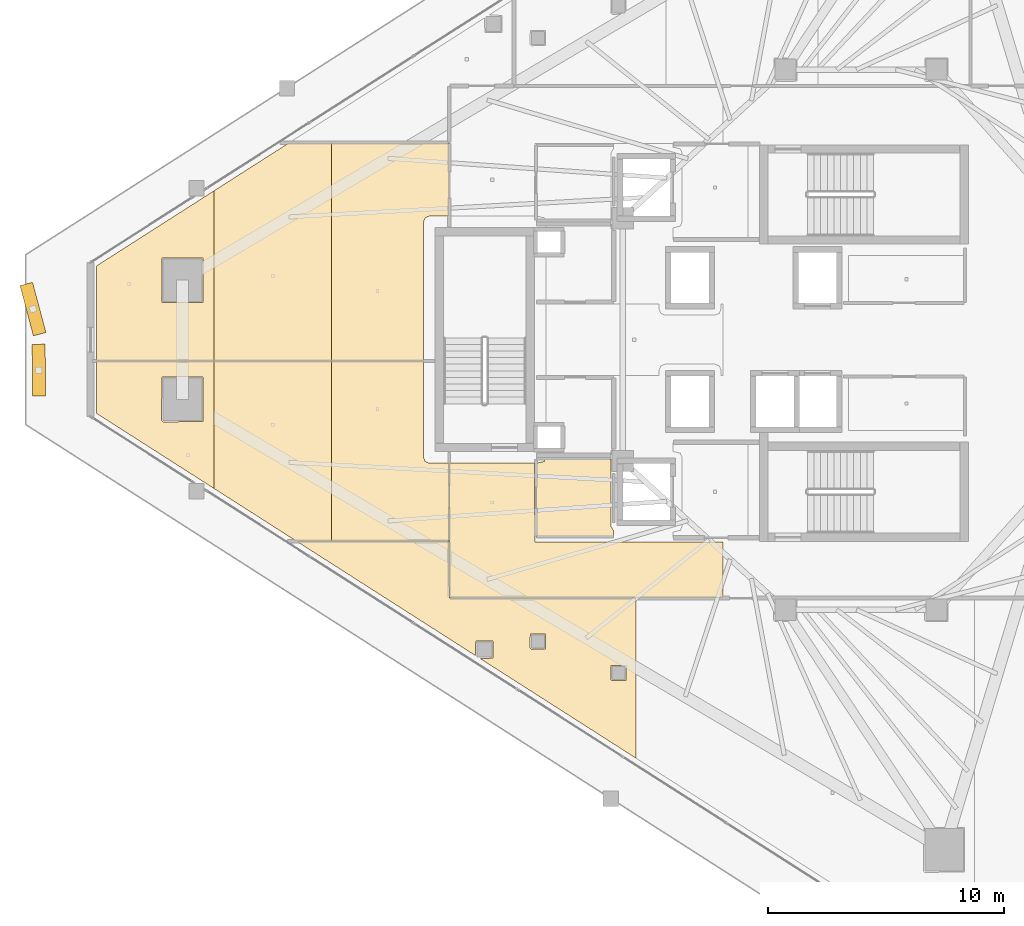
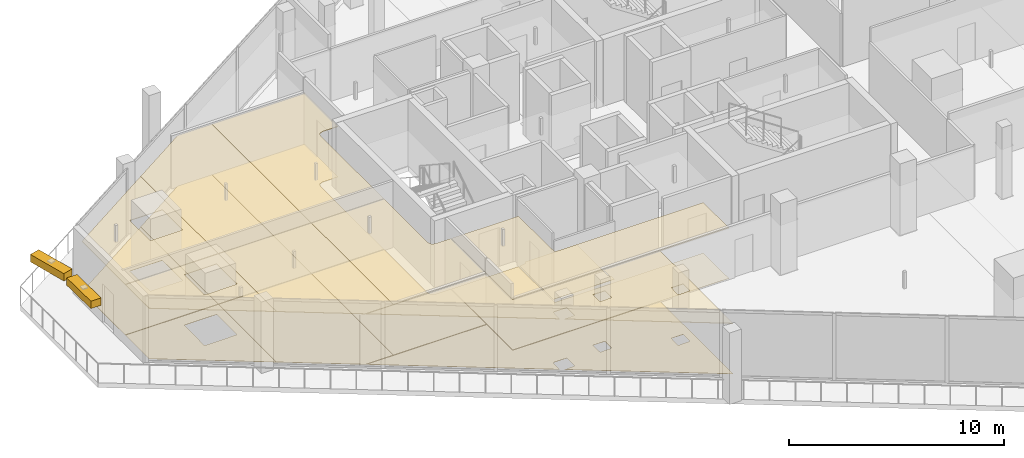
# One storey, part 25 of 30: 17 coverings, 2 shading devices.
"""IFC4 building model written with IfcOpenShell, lengths in metres."""

from ifc_helpers import new_model, si_unit, direction, frame, origin, origin_2d, place, context, subcontext, project, spatial, polyline, rectangle, outline, extrude, material, layer, layer_set, type_object, element, save


model = new_model("IFC4")

# Units and contexts
model_context = context("Model", 3, precision=1e-05, world=origin(), true_north=direction((0.0, 1.0)))
body_context = subcontext(model_context, "Body", "Model", "MODEL_VIEW")
ifc_project = project(units=[si_unit("LENGTHUNIT", "METRE"), si_unit("AREAUNIT", "SQUARE_METRE"), si_unit("VOLUMEUNIT", "CUBIC_METRE"), si_unit("PLANEANGLEUNIT", "RADIAN"), si_unit("MASSUNIT", "GRAM", prefix="KILO")], contexts=[model_context])

# Site, building, storey
site_placement = place(None, origin())
site = spatial("IfcSite", under=ifc_project, at=site_placement, CompositionType="ELEMENT")
building_placement = place(site_placement, origin())
building = spatial("IfcBuilding", under=site, at=building_placement, Name="Qorvath Tower", CompositionType="ELEMENT")
storey_placement = place(building_placement, frame((0.0, 0.0, 217.199951171875)))
storey = spatial("IfcBuildingStorey", under=building, at=storey_placement, Name="L50", CompositionType="ELEMENT", Elevation=217.199951171875)

# Coverings
ifc_material_1 = material(Name="Acoustic mineral fibre ceiling tile", Category="gypsum")
ifc_layer_1 = layer(ifc_material_1, 0.030029296875)
ifc_layer_set_1 = layer_set([ifc_layer_1], Name="COV-CEIL")
covering_type_1 = type_object("IfcCoveringType", Name="COV-CEIL", PredefinedType="CEILING", material=ifc_layer_set_1)
covering_1_placement = place(storey_placement, frame((0.0, 0.0, 2.85009765625)))
element("IfcCovering", 1, at=covering_1_placement, inside=storey, type_object=covering_type_1, Name="L50 Suspended Acoustic Ceiling 009", PredefinedType="CEILING", context=body_context, shape_type="SweptSolid", body=[
    extrude(outline(polyline([(-34.22509765625, -8.580078125), (-34.251220703125, -5.239990234375), (-37.844970703125, -5.239990234375), (-37.844970703125, -10.945068359375), (-26.2587890625, -10.945068359375), (-26.2587890625, -8.574951171875), (-34.22509765625, -8.580078125)])), origin(), (0.0, 0.0, 1.0), 0.030029296875),
])
covering_2_placement = place(storey_placement, frame((0.0, 0.0, 2.85009765625)))
element("IfcCovering", 2, at=covering_2_placement, inside=storey, type_object=covering_type_1, Name="L50 Suspended Acoustic Ceiling 019", PredefinedType="CEILING", context=body_context, shape_type="SweptSolid", body=[
    extrude(outline(polyline([(-29.949951171875, -17.739501953125), (-29.949951171875, -10.962890625), (-37.85791015625, -10.962890625), (-37.863037109375, -8.554931640625), (-44.3203125, -8.554931640625), (-36.749755859375, -13.3935546875), (-36.732177734375, -12.76806640625), (-35.997314453125, -12.76806640625), (-35.997314453125, -13.5029296875), (-36.551025390625, -13.5205078125), (-29.949951171875, -17.739501953125)]), holes=[polyline([(-31.01220703125, -14.3994140625), (-30.99462890625, -13.806884765625), (-30.35986328125, -13.806884765625), (-30.35986328125, -14.441650390625), (-30.9521484375, -14.459228515625), (-31.01220703125, -14.3994140625)]), polyline([(-34.439208984375, -13.0673828125), (-34.421630859375, -12.47509765625), (-33.786865234375, -12.47509765625), (-33.786865234375, -13.10986328125), (-34.379150390625, -13.12744140625), (-34.439208984375, -13.0673828125)])]), origin(), (0.0, 0.0, 1.0), 0.030029296875),
])
covering_3_placement = place(storey_placement, frame((0.0, 0.0, 2.85009765625)))
element("IfcCovering", 3, at=covering_3_placement, inside=storey, type_object=covering_type_1, Name="L50 Suspended Acoustic Ceiling 026", PredefinedType="CEILING", context=body_context, shape_type="SweptSolid", body=[
    extrude(outline(polyline([(-47.82958984375, -6.31201171875), (-47.82958984375, -0.915283203125), (-52.812744140625, -0.915283203125), (-52.812744140625, -3.127197265625), (-47.82958984375, -6.31201171875)]), holes=[polyline([(-50.056884765625, -3.427734375), (-50.039306640625, -1.58544921875), (-48.304443359375, -1.58544921875), (-48.304443359375, -3.47021484375), (-49.996826171875, -3.48779296875), (-50.056884765625, -3.427734375)])]), origin(), (0.0, 0.0, 1.0), 0.030029296875),
])
covering_4_placement = place(storey_placement, frame((0.0, 0.0, 2.85009765625)))
element("IfcCovering", 4, at=covering_4_placement, inside=storey, type_object=covering_type_1, Name="L50 Suspended Acoustic Ceiling 027", PredefinedType="CEILING", context=body_context, shape_type="SweptSolid", body=[
    extrude(outline(polyline([(-42.84619140625, -8.537109375), (-42.84619140625, -0.915283203125), (-47.82958984375, -0.915283203125), (-47.82958984375, -6.31201171875), (-44.348388671875, -8.537109375), (-42.84619140625, -8.537109375)])), origin(), (0.0, 0.0, 1.0), 0.030029296875),
])
covering_5_placement = place(storey_placement, frame((0.0, 0.0, 2.85009765625)))
element("IfcCovering", 5, at=covering_5_placement, inside=storey, type_object=covering_type_1, Name="L50 Suspended Acoustic Ceiling 028", PredefinedType="CEILING", context=body_context, shape_type="SweptSolid", body=[
    extrude(outline(polyline([(-37.863037109375, -8.537109375), (-37.863037109375, -5.239990234375), (-38.699951171875, -5.239990234375), (-38.876708984375, -5.166748046875), (-38.949951171875, -4.989990234375), (-38.949951171875, -0.915283203125), (-42.84619140625, -0.915283203125), (-42.84619140625, -8.537109375), (-37.863037109375, -8.537109375)])), origin(), (0.0, 0.0, 1.0), 0.030029296875),
])
covering_6_placement = place(storey_placement, frame((0.0, 0.0, 2.85009765625)))
element("IfcCovering", 6, at=covering_6_placement, inside=storey, type_object=covering_type_1, Name="L50 Suspended Acoustic Ceiling 029", PredefinedType="CEILING", context=body_context, shape_type="SweptSolid", body=[
    extrude(outline(polyline([(-47.82958984375, -0.897216796875), (-47.82958984375, 6.31201171875), (-52.812744140625, 3.127197265625), (-52.812744140625, -0.897216796875), (-47.82958984375, -0.897216796875)]), holes=[polyline([(-50.039306640625, 1.58544921875), (-50.039306640625, 3.47021484375), (-48.304443359375, 3.47021484375), (-48.304443359375, 1.58544921875), (-50.039306640625, 1.58544921875)])]), origin(), (0.0, 0.0, 1.0), 0.030029296875),
])
covering_7_placement = place(storey_placement, frame((0.0, 0.0, 2.85009765625)))
element("IfcCovering", 7, at=covering_7_placement, inside=storey, type_object=covering_type_1, Name="L50 Suspended Acoustic Ceiling 030", PredefinedType="CEILING", context=body_context, shape_type="SweptSolid", body=[
    extrude(outline(polyline([(-42.84619140625, -0.897216796875), (-42.84619140625, 8.3369140625), (-44.661376953125, 8.3369140625), (-47.82958984375, 6.31201171875), (-47.82958984375, -0.897216796875), (-42.84619140625, -0.897216796875)])), origin(), (0.0, 0.0, 1.0), 0.030029296875),
])
covering_8_placement = place(storey_placement, frame((0.0, 0.0, 2.85009765625)))
element("IfcCovering", 8, at=covering_8_placement, inside=storey, type_object=covering_type_1, Name="L50 Suspended Acoustic Ceiling 031", PredefinedType="CEILING", context=body_context, shape_type="SweptSolid", body=[
    extrude(outline(polyline([(-37.863037109375, 5.239990234375), (-37.863037109375, 8.3369140625), (-42.84619140625, 8.3369140625), (-42.84619140625, -0.897216796875), (-38.949951171875, -0.897216796875), (-38.949951171875, 4.989990234375), (-38.876708984375, 5.166748046875), (-38.699951171875, 5.239990234375), (-37.863037109375, 5.239990234375)])), origin(), (0.0, 0.0, 1.0), 0.030029296875),
])
ifc_material_2 = material(Name="Low-VOC modular carpet tile", Category="textile")
ifc_layer_2 = layer(ifc_material_2, 0.014892578125)
ifc_layer_set_2 = layer_set([ifc_layer_2], Name="COV-FLOOR-CPT")
covering_type_2 = type_object("IfcCoveringType", Name="COV-FLOOR-CPT", PredefinedType="FLOORING", material=ifc_layer_set_2)
covering_9_placement = place(storey_placement, origin())
element("IfcCovering", 9, at=covering_9_placement, inside=storey, type_object=covering_type_2, Name="L50 Floor Finish 019", PredefinedType="FLOORING", context=body_context, shape_type="SweptSolid", body=[
    extrude(outline(polyline([(-29.949951171875, -17.739501953125), (-29.949951171875, -10.962890625), (-37.85791015625, -10.962890625), (-37.863037109375, -8.554931640625), (-44.3203125, -8.554931640625), (-36.749755859375, -13.3935546875), (-36.732177734375, -12.76806640625), (-35.997314453125, -12.76806640625), (-35.997314453125, -13.5029296875), (-36.551025390625, -13.5205078125), (-29.949951171875, -17.739501953125)]), holes=[polyline([(-31.01220703125, -14.3994140625), (-30.99462890625, -13.806884765625), (-30.35986328125, -13.806884765625), (-30.35986328125, -14.441650390625), (-30.9521484375, -14.459228515625), (-31.01220703125, -14.3994140625)]), polyline([(-34.439208984375, -13.0673828125), (-34.421630859375, -12.47509765625), (-33.786865234375, -12.47509765625), (-33.786865234375, -13.10986328125), (-34.379150390625, -13.12744140625), (-34.439208984375, -13.0673828125)])]), origin(), (0.0, 0.0, 1.0), 0.01513671875),
])
covering_10_placement = place(storey_placement, origin())
element("IfcCovering", 10, at=covering_10_placement, inside=storey, type_object=covering_type_2, Name="L50 Floor Finish 026", PredefinedType="FLOORING", context=body_context, shape_type="SweptSolid", body=[
    extrude(outline(polyline([(-47.82958984375, -6.31201171875), (-47.82958984375, -0.915283203125), (-52.812744140625, -0.915283203125), (-52.812744140625, -3.127197265625), (-47.82958984375, -6.31201171875)]), holes=[polyline([(-50.056884765625, -3.427734375), (-50.039306640625, -1.58544921875), (-48.304443359375, -1.58544921875), (-48.304443359375, -3.47021484375), (-49.996826171875, -3.48779296875), (-50.056884765625, -3.427734375)])]), origin(), (0.0, 0.0, 1.0), 0.01513671875),
])
covering_11_placement = place(storey_placement, origin())
element("IfcCovering", 11, at=covering_11_placement, inside=storey, type_object=covering_type_2, Name="L50 Floor Finish 027", PredefinedType="FLOORING", context=body_context, shape_type="SweptSolid", body=[
    extrude(outline(polyline([(-42.84619140625, -8.537109375), (-42.84619140625, -0.915283203125), (-47.82958984375, -0.915283203125), (-47.82958984375, -6.31201171875), (-44.348388671875, -8.537109375), (-42.84619140625, -8.537109375)])), origin(), (0.0, 0.0, 1.0), 0.01513671875),
])
covering_12_placement = place(storey_placement, origin())
element("IfcCovering", 12, at=covering_12_placement, inside=storey, type_object=covering_type_2, Name="L50 Floor Finish 028", PredefinedType="FLOORING", context=body_context, shape_type="SweptSolid", body=[
    extrude(outline(polyline([(-37.863037109375, -8.537109375), (-37.863037109375, -5.239990234375), (-38.699951171875, -5.239990234375), (-38.876708984375, -5.166748046875), (-38.949951171875, -4.989990234375), (-38.949951171875, -0.915283203125), (-42.84619140625, -0.915283203125), (-42.84619140625, -8.537109375), (-37.863037109375, -8.537109375)])), origin(), (0.0, 0.0, 1.0), 0.01513671875),
])
covering_13_placement = place(storey_placement, origin())
element("IfcCovering", 13, at=covering_13_placement, inside=storey, type_object=covering_type_2, Name="L50 Floor Finish 029", PredefinedType="FLOORING", context=body_context, shape_type="SweptSolid", body=[
    extrude(outline(polyline([(-47.82958984375, -0.897216796875), (-47.82958984375, 6.31201171875), (-52.812744140625, 3.127197265625), (-52.812744140625, -0.897216796875), (-47.82958984375, -0.897216796875)]), holes=[polyline([(-50.039306640625, 1.58544921875), (-50.039306640625, 3.47021484375), (-48.304443359375, 3.47021484375), (-48.304443359375, 1.58544921875), (-50.039306640625, 1.58544921875)])]), origin(), (0.0, 0.0, 1.0), 0.01513671875),
])
covering_14_placement = place(storey_placement, origin())
element("IfcCovering", 14, at=covering_14_placement, inside=storey, type_object=covering_type_2, Name="L50 Floor Finish 030", PredefinedType="FLOORING", context=body_context, shape_type="SweptSolid", body=[
    extrude(outline(polyline([(-42.84619140625, -0.897216796875), (-42.84619140625, 8.3369140625), (-44.661376953125, 8.3369140625), (-47.82958984375, 6.31201171875), (-47.82958984375, -0.897216796875), (-42.84619140625, -0.897216796875)])), origin(), (0.0, 0.0, 1.0), 0.01513671875),
])
covering_15_placement = place(storey_placement, origin())
element("IfcCovering", 15, at=covering_15_placement, inside=storey, type_object=covering_type_2, Name="L50 Floor Finish 031", PredefinedType="FLOORING", context=body_context, shape_type="SweptSolid", body=[
    extrude(outline(polyline([(-37.863037109375, 5.239990234375), (-37.863037109375, 8.3369140625), (-42.84619140625, 8.3369140625), (-42.84619140625, -0.897216796875), (-38.949951171875, -0.897216796875), (-38.949951171875, 4.989990234375), (-38.876708984375, 5.166748046875), (-38.699951171875, 5.239990234375), (-37.863037109375, 5.239990234375)])), origin(), (0.0, 0.0, 1.0), 0.01513671875),
])
ifc_material_3 = material(Name="Polished epoxy terrazzo flooring", Category="concrete")
ifc_layer_3 = layer(ifc_material_3, 0.02001953125)
ifc_layer_set_3 = layer_set([ifc_layer_3], Name="COV-FLOOR-TRZ")
covering_type_3 = type_object("IfcCoveringType", Name="COV-FLOOR-TRZ", PredefinedType="FLOORING", material=ifc_layer_set_3)
covering_16_placement = place(storey_placement, origin())
element("IfcCovering", 16, at=covering_16_placement, inside=storey, type_object=covering_type_3, Name="L50 Floor Finish 007", PredefinedType="FLOORING", context=body_context, shape_type="SweptSolid", body=[
    extrude(outline(polyline([(-30.885009765625, -8.108154296875), (-31.010009765625, -7.909912109375), (-31.010009765625, -5.054931640625), (-33.786865234375, -5.054931640625), (-33.833251953125, -5.166748046875), (-34.175048828125, -5.239990234375), (-34.175048828125, -8.344970703125), (-30.885009765625, -8.344970703125), (-30.885009765625, -8.108154296875)])), origin(), (0.0, 0.0, 1.0), 0.01513671875),
])
covering_17_placement = place(storey_placement, origin())
element("IfcCovering", 17, at=covering_17_placement, inside=storey, type_object=covering_type_3, Name="L50 Floor Finish 009", PredefinedType="FLOORING", context=body_context, shape_type="SweptSolid", body=[
    extrude(outline(polyline([(-34.22509765625, -8.580078125), (-34.251220703125, -5.239990234375), (-37.844970703125, -5.239990234375), (-37.844970703125, -10.945068359375), (-26.2587890625, -10.945068359375), (-26.2587890625, -8.574951171875), (-34.22509765625, -8.580078125)])), origin(), (0.0, 0.0, 1.0), 0.01513671875),
])

# Shading devices
ifc_material_4 = material(Name="Anodised bronze-champagne aluminium", Category="aluminium")
shading_device_type = type_object("IfcShadingDeviceType", Name="SD-LOUVRE", PredefinedType="JALOUSIE", material=ifc_material_4)
for number, where, z_axis, x_axis, name in (
    (18, (-55.50830078125, 1.296142578125, 3.360107421875), (0.0, 0.0, 1.0), (0.258185106583, -0.966095466679, 0.0), "Sinusoidal Wave Louvre Blade L50-01"),
    (19, (-55.256103515625, -1.296142578125, 3.360107421875), (0.0, 0.0, 1.0), (0.011948239752, -0.999928617236, 0.0), "Sinusoidal Wave Louvre Blade L50-02"),
):
    element("IfcShadingDevice", number, at=place(storey_placement, frame(where, z_axis=z_axis, x_axis=x_axis)), inside=storey, type_object=shading_device_type, Name=name, PredefinedType="NOTDEFINED", context=body_context, shape_type="SweptSolid", body=[
        extrude(rectangle(XDim=2.199951171875, YDim=0.550048828125, at=origin_2d()), origin(), (0.0, 0.0, 1.0), 0.419921875),
    ])

save(model, "model.ifc")
